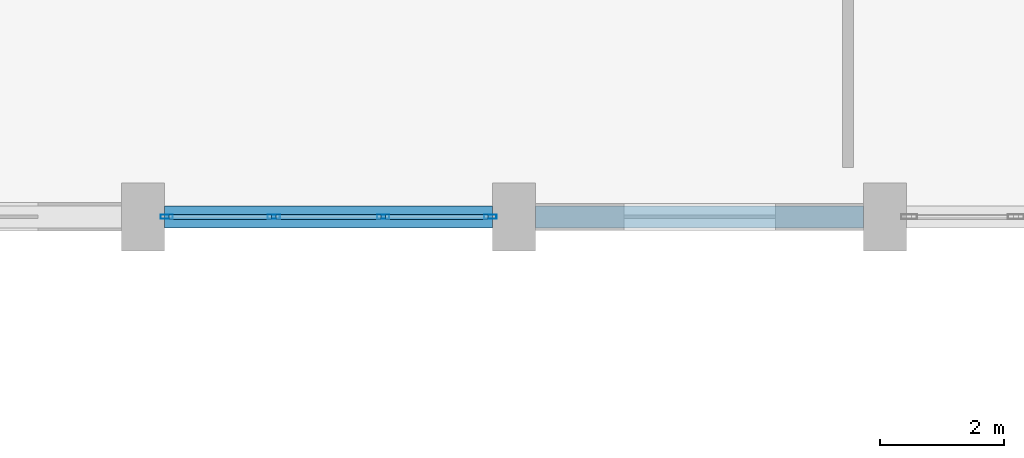
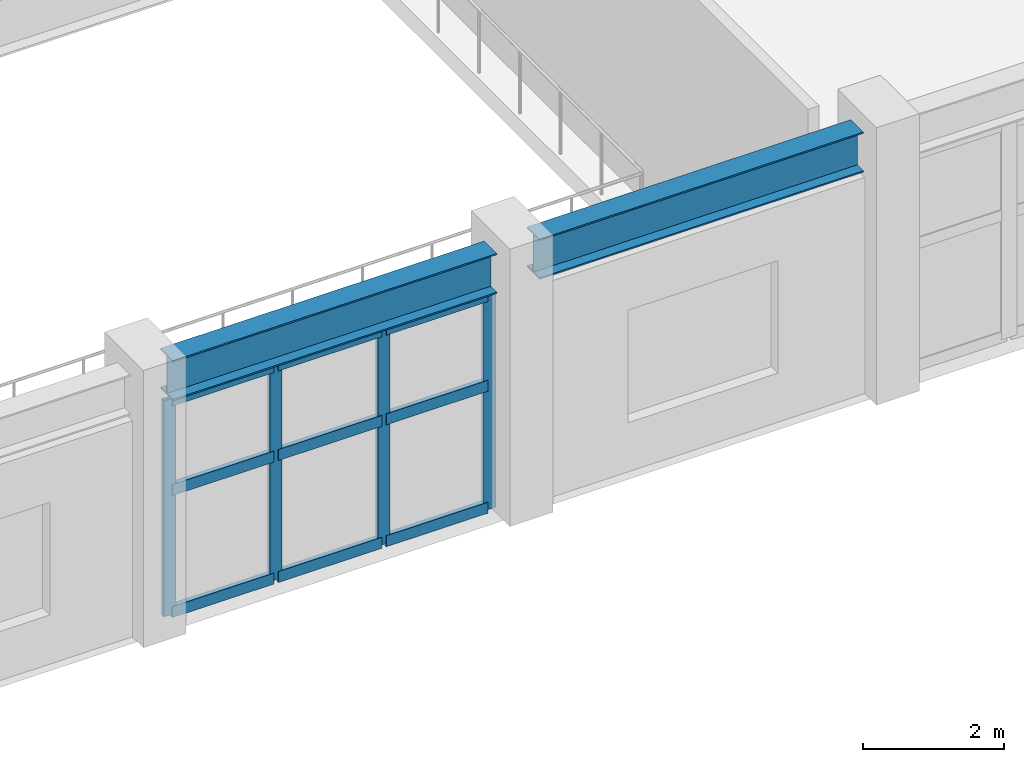
# One storey, part 21 of 96: 13 members, 2 beams, 1 element without a shape of its own.
"""IFC4 building model written with IfcOpenShell, lengths in metres."""

from ifc_helpers import new_model, si_unit, direction, frame, origin, origin_2d, place, context, subcontext, project, spatial, hollow_rectangle, i_section, extrude, material, layer, layer_set, material_profile, profile_set, type_object, element, aggregate, save


model = new_model("IFC4")

# Units and contexts
model_context = context("Model", 3, precision=1e-05, world=origin(), true_north=direction((0.0, 1.0)))
body_context = subcontext(model_context, "Body", "Model", "MODEL_VIEW")
ifc_project = project(units=[si_unit("LENGTHUNIT", "METRE"), si_unit("AREAUNIT", "SQUARE_METRE"), si_unit("VOLUMEUNIT", "CUBIC_METRE"), si_unit("PLANEANGLEUNIT", "RADIAN"), si_unit("MASSUNIT", "GRAM", prefix="KILO")], contexts=[model_context])

# Site, building, storey
site_placement = place(None, origin())
site = spatial("IfcSite", under=ifc_project, at=site_placement, CompositionType="ELEMENT")
building_placement = place(site_placement, origin())
building = spatial("IfcBuilding", under=site, at=building_placement, Name="Vaelkrest Opera House", CompositionType="ELEMENT")
storey_placement = place(building_placement, frame((0.0, 0.0, 5.39990234375)))
storey = spatial("IfcBuildingStorey", under=building, at=storey_placement, Name="L01", CompositionType="ELEMENT", Elevation=5.39990234375)

# Curtain wall, members
ifc_material_1 = material(Name="Dark bronze anodized aluminium", Category="aluminium")
ifc_layer = layer(ifc_material_1, 0.22998046875)
ifc_layer_set = layer_set([ifc_layer], Name="Dark bronze anodized aluminium")
curtain_wall_type = type_object("IfcCurtainWallType", Name="CW06", PredefinedType="NOTDEFINED", material=ifc_layer_set)
curtain_wall_placement = place(storey_placement, origin())
curtain_wall = element("IfcCurtainWall", 1, at=curtain_wall_placement, inside=storey, type_object=curtain_wall_type, Name="Curtain wall CW-L01-022", PredefinedType="NOTDEFINED")
ifc_material_profile_1 = material_profile(ifc_material_1, hollow_rectangle(XDim=0.070068359375, YDim=0.199951171875, WallThickness=0.004150390625, at=origin_2d()), Name="CWM70X200")
ifc_profile_set_1 = profile_set([ifc_material_profile_1], Name="Dark bronze anodized aluminium")
member_type_1 = type_object("IfcMemberType", Name="CWM02", PredefinedType="MULLION", material=ifc_profile_set_1)
member_1_placement = place(storey_placement, frame((5.616943359375, -55.800048828125, 0.0), z_axis=(0.0, 0.0, 1.0), x_axis=(0.0, -1.0, 0.0)))
member_1 = element("IfcMember", 2, at=member_1_placement, type_object=member_type_1, Name="CW06 mullion 1", PredefinedType="MULLION", context=body_context, shape_type="SweptSolid", body=[
    extrude(hollow_rectangle(XDim=0.070068359375, YDim=0.199951171875, WallThickness=0.004150390625, at=origin_2d()), origin(), (0.0, 0.0, 1.0), 3.739990234375),
])
member_2_placement = place(storey_placement, frame((3.884033203125, -55.800048828125, 0.0), z_axis=(0.0, 0.0, 1.0), x_axis=(0.0, -1.0, 0.0)))
member_2 = element("IfcMember", 3, at=member_2_placement, type_object=member_type_1, Name="CW06 mullion 2", PredefinedType="MULLION", context=body_context, shape_type="SweptSolid", body=[
    extrude(hollow_rectangle(XDim=0.070068359375, YDim=0.199951171875, WallThickness=0.004150390625, at=origin_2d()), origin(), (0.0, 0.0, 1.0), 3.739990234375),
])
member_3_placement = place(storey_placement, frame((2.115966796875, -55.800048828125, 0.0), z_axis=(0.0, 0.0, 1.0), x_axis=(0.0, -1.0, 0.0)))
member_3 = element("IfcMember", 4, at=member_3_placement, type_object=member_type_1, Name="CW06 mullion 3", PredefinedType="MULLION", context=body_context, shape_type="SweptSolid", body=[
    extrude(hollow_rectangle(XDim=0.070068359375, YDim=0.199951171875, WallThickness=0.004150390625, at=origin_2d()), origin(), (0.0, 0.0, 1.0), 3.739990234375),
])
member_4_placement = place(storey_placement, frame((0.383056640625, -55.800048828125, 0.0), z_axis=(0.0, 0.0, 1.0), x_axis=(0.0, -1.0, 0.0)))
member_4 = element("IfcMember", 5, at=member_4_placement, type_object=member_type_1, Name="CW06 mullion 4", PredefinedType="MULLION", context=body_context, shape_type="SweptSolid", body=[
    extrude(hollow_rectangle(XDim=0.070068359375, YDim=0.199951171875, WallThickness=0.004150390625, at=origin_2d()), origin(), (0.0, 0.0, 1.0), 3.739990234375),
])
ifc_material_profile_2 = material_profile(ifc_material_1, hollow_rectangle(XDim=0.080078125, YDim=0.18994140625, WallThickness=0.0048828125, at=origin_2d()), Name="CWT80X190")
ifc_profile_set_2 = profile_set([ifc_material_profile_2], Name="Dark bronze anodized aluminium")
member_type_2 = type_object("IfcMemberType", Name="CWT04", PredefinedType="USERDEFINED", material=ifc_profile_set_2)
member_5_placement = place(storey_placement, frame((5.58203125, -55.800048828125, 0.0400390625), z_axis=(-1.0, 0.0, 0.0), x_axis=(0.0, -1.0, 0.0)))
member_5 = element("IfcMember", 6, at=member_5_placement, type_object=member_type_2, Name="CW06 transom 1.1", ObjectType="TRANSOM", PredefinedType="USERDEFINED", context=body_context, shape_type="SweptSolid", body=[
    extrude(hollow_rectangle(XDim=0.080078125, YDim=0.18994140625, WallThickness=0.0048828125, at=origin_2d()), origin(), (0.0, 0.0, 1.0), 1.6630859375),
])
member_6_placement = place(storey_placement, frame((5.58203125, -55.800048828125, 2.150146484375), z_axis=(-1.0, 0.0, 0.0), x_axis=(0.0, -1.0, 0.0)))
member_6 = element("IfcMember", 7, at=member_6_placement, type_object=member_type_2, Name="CW06 transom 1.2", ObjectType="TRANSOM", PredefinedType="USERDEFINED", context=body_context, shape_type="SweptSolid", body=[
    extrude(hollow_rectangle(XDim=0.080078125, YDim=0.18994140625, WallThickness=0.0048828125, at=origin_2d()), origin(), (0.0, 0.0, 1.0), 1.6630859375),
])
member_7_placement = place(storey_placement, frame((5.58203125, -55.800048828125, 3.7001953125), z_axis=(-1.0, 0.0, 0.0), x_axis=(0.0, -1.0, 0.0)))
member_7 = element("IfcMember", 8, at=member_7_placement, type_object=member_type_2, Name="CW06 transom 1.3", ObjectType="TRANSOM", PredefinedType="USERDEFINED", context=body_context, shape_type="SweptSolid", body=[
    extrude(hollow_rectangle(XDim=0.080078125, YDim=0.18994140625, WallThickness=0.0048828125, at=origin_2d()), origin(), (0.0, 0.0, 1.0), 1.6630859375),
])
member_8_placement = place(storey_placement, frame((3.84912109375, -55.800048828125, 0.0400390625), z_axis=(-1.0, 0.0, 0.0), x_axis=(0.0, -1.0, 0.0)))
member_8 = element("IfcMember", 9, at=member_8_placement, type_object=member_type_2, Name="CW06 transom 2.1", ObjectType="TRANSOM", PredefinedType="USERDEFINED", context=body_context, shape_type="SweptSolid", body=[
    extrude(hollow_rectangle(XDim=0.080078125, YDim=0.18994140625, WallThickness=0.0048828125, at=origin_2d()), origin(), (0.0, 0.0, 1.0), 1.6982421875),
])
member_9_placement = place(storey_placement, frame((3.84912109375, -55.800048828125, 2.150146484375), z_axis=(-1.0, 0.0, 0.0), x_axis=(0.0, -1.0, 0.0)))
member_9 = element("IfcMember", 10, at=member_9_placement, type_object=member_type_2, Name="CW06 transom 2.2", ObjectType="TRANSOM", PredefinedType="USERDEFINED", context=body_context, shape_type="SweptSolid", body=[
    extrude(hollow_rectangle(XDim=0.080078125, YDim=0.18994140625, WallThickness=0.0048828125, at=origin_2d()), origin(), (0.0, 0.0, 1.0), 1.6982421875),
])
member_10_placement = place(storey_placement, frame((3.84912109375, -55.800048828125, 3.7001953125), z_axis=(-1.0, 0.0, 0.0), x_axis=(0.0, -1.0, 0.0)))
member_10 = element("IfcMember", 11, at=member_10_placement, type_object=member_type_2, Name="CW06 transom 2.3", ObjectType="TRANSOM", PredefinedType="USERDEFINED", context=body_context, shape_type="SweptSolid", body=[
    extrude(hollow_rectangle(XDim=0.080078125, YDim=0.18994140625, WallThickness=0.0048828125, at=origin_2d()), origin(), (0.0, 0.0, 1.0), 1.6982421875),
])
member_11_placement = place(storey_placement, frame((2.0810546875, -55.800048828125, 0.0400390625), z_axis=(-1.0, 0.0, 0.0), x_axis=(0.0, -1.0, 0.0)))
member_11 = element("IfcMember", 12, at=member_11_placement, type_object=member_type_2, Name="CW06 transom 3.1", ObjectType="TRANSOM", PredefinedType="USERDEFINED", context=body_context, shape_type="SweptSolid", body=[
    extrude(hollow_rectangle(XDim=0.080078125, YDim=0.18994140625, WallThickness=0.0048828125, at=origin_2d()), origin(), (0.0, 0.0, 1.0), 1.6630859375),
])
member_12_placement = place(storey_placement, frame((2.0810546875, -55.800048828125, 2.150146484375), z_axis=(-1.0, 0.0, 0.0), x_axis=(0.0, -1.0, 0.0)))
member_12 = element("IfcMember", 13, at=member_12_placement, type_object=member_type_2, Name="CW06 transom 3.2", ObjectType="TRANSOM", PredefinedType="USERDEFINED", context=body_context, shape_type="SweptSolid", body=[
    extrude(hollow_rectangle(XDim=0.080078125, YDim=0.18994140625, WallThickness=0.0048828125, at=origin_2d()), origin(), (0.0, 0.0, 1.0), 1.6630859375),
])
member_13_placement = place(storey_placement, frame((2.0810546875, -55.800048828125, 3.7001953125), z_axis=(-1.0, 0.0, 0.0), x_axis=(0.0, -1.0, 0.0)))
member_13 = element("IfcMember", 14, at=member_13_placement, type_object=member_type_2, Name="CW06 transom 3.3", ObjectType="TRANSOM", PredefinedType="USERDEFINED", context=body_context, shape_type="SweptSolid", body=[
    extrude(hollow_rectangle(XDim=0.080078125, YDim=0.18994140625, WallThickness=0.0048828125, at=origin_2d()), origin(), (0.0, 0.0, 1.0), 1.6630859375),
])
aggregate(curtain_wall, [member_1, member_2, member_3, member_4, member_5, member_6, member_7, member_8, member_9, member_10, member_11, member_12, member_13])

# Beams
ifc_material_2 = material(Name="Steel A992 Gr50", Category="steel")
ifc_material_profile_3 = material_profile(ifc_material_2, i_section(OverallWidth=0.35498046875, OverallDepth=0.695068359375, WebThickness=0.015380859375, FlangeThickness=0.02490234375, at=origin_2d()), Name="W27X146")
ifc_profile_set_3 = profile_set([ifc_material_profile_3], Name="Steel A992 Gr50")
beam_type = type_object("IfcBeamType", Name="SP02", PredefinedType="SPANDREL", material=ifc_profile_set_3)
for number, where, z_axis, x_axis, name in (
    (15, (0.35009765625, -55.800048828125, 4.152587890625), (1.0, 0.0, 0.0), (0.0, 1.0, 0.0), "Beam BM-V1-L01-0210"),
    (16, (6.35009765625, -55.800048828125, 4.152587890625), (1.0, 0.0, 0.0), (0.0, 1.0, 0.0), "Beam BM-V1-L01-0211"),
):
    element("IfcBeam", number, at=place(storey_placement, frame(where, z_axis=z_axis, x_axis=x_axis)), inside=storey, type_object=beam_type, Name=name, PredefinedType="SPANDREL", context=body_context, shape_type="SweptSolid", body=[
        extrude(i_section(OverallWidth=0.35498046875, OverallDepth=0.695068359375, WebThickness=0.015380859375, FlangeThickness=0.02490234375, at=origin_2d()), origin(), (0.0, 0.0, 1.0), 5.2998046875),
    ])

save(model, "model.ifc")
